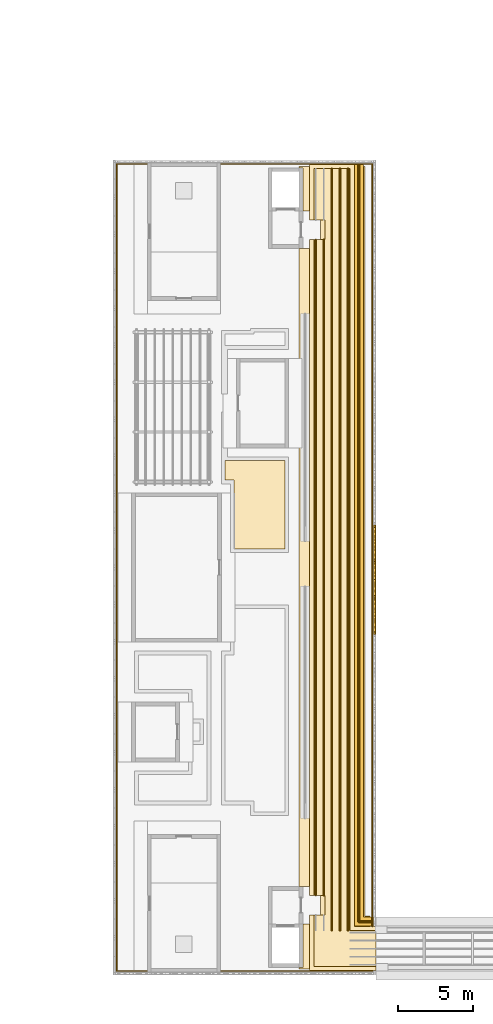
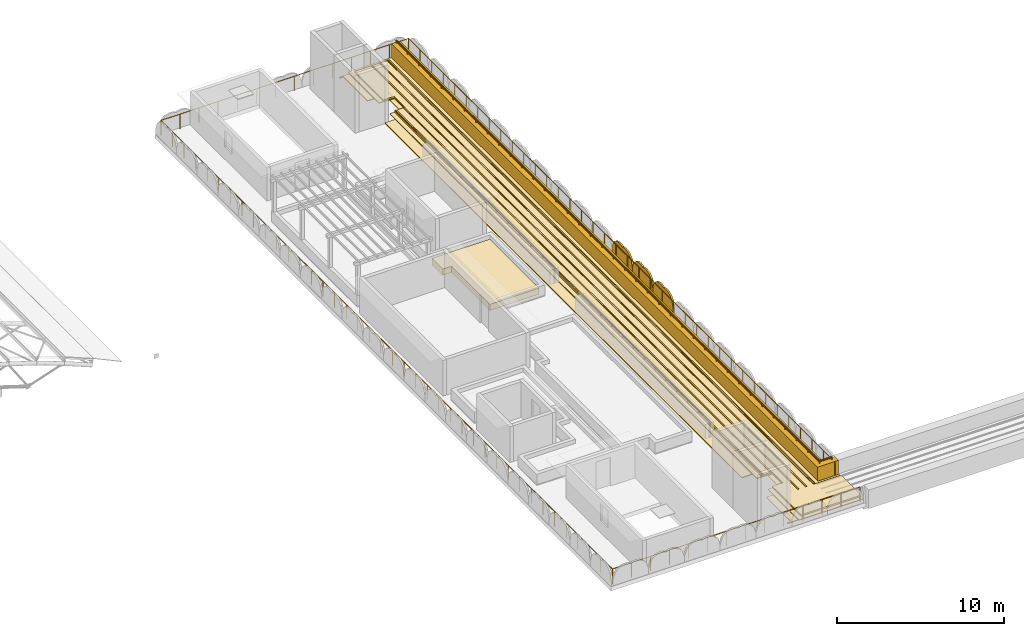
# One storey, part 21 of 22: 10 coverings, 3 shading devices, 2 railings.
"""IFC4 building model written with IfcOpenShell, lengths in metres."""

from ifc_helpers import new_model, si_unit, direction, frame, origin, origin_2d, place, context, subcontext, project, spatial, polyline, circle, outline, extrude, material, layer, layer_set, type_object, element, save


model = new_model("IFC4")

# Units and contexts
model_context = context("Model", 3, precision=1e-05, world=origin(), true_north=direction((0.0, 1.0)))
body_context = subcontext(model_context, "Body", "Model", "MODEL_VIEW")
ifc_project = project(units=[si_unit("LENGTHUNIT", "METRE"), si_unit("AREAUNIT", "SQUARE_METRE"), si_unit("VOLUMEUNIT", "CUBIC_METRE"), si_unit("PLANEANGLEUNIT", "RADIAN"), si_unit("MASSUNIT", "GRAM", prefix="KILO")], contexts=[model_context])

# Site, building, storey
site_placement = place(None, origin())
site = spatial("IfcSite", under=ifc_project, at=site_placement, CompositionType="ELEMENT")
building_placement = place(site_placement, origin())
building = spatial("IfcBuilding", under=site, at=building_placement, Name="Elbe Cascade School", CompositionType="ELEMENT")
storey_placement = place(building_placement, frame((0.0, 0.0, 18.89990234375)))
storey = spatial("IfcBuildingStorey", under=building, at=storey_placement, Name="R05", CompositionType="ELEMENT", Elevation=18.89990234375)

# Shading devices
ifc_material_1 = material(Name="Precast concrete C40/50", Category="concrete")
ifc_layer_1 = layer(ifc_material_1, 0.1201171875)
ifc_layer_set_1 = layer_set([ifc_layer_1], Name="Precast concrete C40/50")
shading_device_type = type_object("IfcShadingDeviceType", Name="Bars envelope Attic jali screen, pointed arch top, pierced precast concrete, 1200 high", PredefinedType="USERDEFINED", material=ifc_layer_set_1)
shading_device_1_placement = place(storey_placement, frame((86.320068359375, 28.523681640625, 0.0), z_axis=(1.0, 0.0, 0.0), x_axis=(0.0, 1.0, 0.0)))
element("IfcShadingDevice", 1, at=shading_device_1_placement, inside=storey, type_object=shading_device_type, Name="Attic jali screen SD1 A.R05.e10", ObjectType="JALI", PredefinedType="USERDEFINED", context=body_context, shape_type="SweptSolid", body=[
    extrude(outline(polyline([(0.0, 0.0), (2.440673828125, 0.0), (2.440673828125, 0.400146484375), (2.2880859375, 0.892822265625), (2.135498046875, 1.062744140625), (1.98291015625, 1.16748046875), (1.83056640625, 1.232177734375), (1.677978515625, 1.265380859375), (1.525390625, 1.271484375), (1.372802734375, 1.250244140625), (1.22021484375, 1.2001953125), (1.06787109375, 1.250244140625), (0.915283203125, 1.271484375), (0.762939453125, 1.265380859375), (0.610107421875, 1.232177734375), (0.457763671875, 1.16748046875), (0.30517578125, 1.062744140625), (0.152587890625, 0.892822265625), (0.0, 0.400146484375), (0.0, 0.0)])), origin(), (0.0, 0.0, -1.0), 0.1201171875),
])
shading_device_2_placement = place(storey_placement, frame((86.320068359375, 30.96435546875, 0.0), z_axis=(1.0, 0.0, 0.0), x_axis=(0.0, 1.0, 0.0)))
element("IfcShadingDevice", 2, at=shading_device_2_placement, inside=storey, type_object=shading_device_type, Name="Attic jali screen SD1 A.R05.e11", ObjectType="JALI", PredefinedType="USERDEFINED", context=body_context, shape_type="SweptSolid", body=[
    extrude(outline(polyline([(0.0, 0.0), (2.4404296875, 0.0), (2.4404296875, 0.400146484375), (2.287841796875, 0.892822265625), (2.13525390625, 1.062744140625), (1.98291015625, 1.16748046875), (1.830322265625, 1.232177734375), (1.677734375, 1.265380859375), (1.525146484375, 1.271484375), (1.372802734375, 1.250244140625), (1.22021484375, 1.2001953125), (1.067626953125, 1.250244140625), (0.9150390625, 1.271484375), (0.762451171875, 1.265380859375), (0.610107421875, 1.232177734375), (0.45751953125, 1.16748046875), (0.304931640625, 1.062744140625), (0.15234375, 0.892822265625), (0.0, 0.400146484375), (0.0, 0.0)])), origin(), (0.0, 0.0, -1.0), 0.1201171875),
])
shading_device_3_placement = place(storey_placement, frame((86.320068359375, 33.40478515625, 0.0), z_axis=(1.0, 0.0, 0.0), x_axis=(0.0, 1.0, 0.0)))
element("IfcShadingDevice", 3, at=shading_device_3_placement, inside=storey, type_object=shading_device_type, Name="Attic jali screen SD1 A.R05.e12", ObjectType="JALI", PredefinedType="USERDEFINED", context=body_context, shape_type="SweptSolid", body=[
    extrude(outline(polyline([(0.0, 0.0), (2.4404296875, 0.0), (2.4404296875, 0.400146484375), (2.287841796875, 0.892822265625), (2.135498046875, 1.062744140625), (1.98291015625, 1.16748046875), (1.830322265625, 1.232177734375), (1.677734375, 1.265380859375), (1.525390625, 1.271484375), (1.372802734375, 1.250244140625), (1.22021484375, 1.2001953125), (1.067626953125, 1.250244140625), (0.9150390625, 1.271484375), (0.7626953125, 1.265380859375), (0.610107421875, 1.232177734375), (0.45751953125, 1.16748046875), (0.304931640625, 1.062744140625), (0.152587890625, 0.892822265625), (0.0, 0.400146484375), (0.0, 0.0)])), origin(), (0.0, 0.0, -1.0), 0.1201171875),
])

# Covering
ifc_material_2 = material(Name="Bituminous waterproofing membrane", Category="membrane")
ifc_layer_2 = layer(ifc_material_2, 0.06005859375)
ifc_layer_set_2 = layer_set([ifc_layer_2], Name="Bituminous waterproofing membrane")
covering_type_1 = type_object("IfcCoveringType", Name="Bars envelope Roof covering, bituminous waterproofing membrane", PredefinedType="ROOFING", material=ifc_layer_set_2)
covering_1_placement = place(storey_placement, origin())
element("IfcCovering", 4, at=covering_1_placement, inside=storey, type_object=covering_type_1, Name="Roof covering CV49 A.R05.6", PredefinedType="ROOFING", context=body_context, shape_type="SweptSolid", body=[
    extrude(outline(polyline([(85.60009765625, 59.85009765625), (85.60009765625, 9.669921875), (85.949951171875, 9.669921875), (85.949951171875, 6.14990234375), (81.199951171875, 6.14990234375), (81.199951171875, 6.25), (81.449951171875, 6.25), (81.449951171875, 9.14990234375), (82.64990234375, 9.14990234375), (82.64990234375, 11.64990234375), (81.199951171875, 11.64990234375), (81.199951171875, 54.35009765625), (82.64990234375, 54.35009765625), (82.64990234375, 56.85009765625), (81.449951171875, 56.85009765625), (81.449951171875, 59.75), (81.199951171875, 59.75), (81.199951171875, 59.85009765625), (85.60009765625, 59.85009765625)])), origin(), (0.0, 0.0, 1.0), 0.06005859375),
])

# Railing
ifc_material_3 = material(Name="Steel S355J2H, hot-dip galvanised", Category="steel")
railing_type_1 = type_object("IfcRailingType", Name="Bars envelope Roof edge guard 1100, galvanised steel", PredefinedType="GUARDRAIL", material=ifc_material_3)
railing_1_placement = place(storey_placement, frame((86.10009765625, 9.0, 0.0)))
element("IfcRailing", 5, at=railing_1_placement, inside=storey, type_object=railing_type_1, Name="Roof edge guard RL10 A.R05.1", PredefinedType="GUARDRAIL", context=body_context, shape_type="SweptSolid", body=[
    extrude(circle(Radius=0.02392578125, at=origin_2d()), frame((0.0, 0.0, 1.076171875), z_axis=(0.0, 1.0, 0.0), x_axis=(-1.0, 0.0, 0.0)), (0.0, 0.0, 1.0), 51.0),
    extrude(circle(Radius=0.02392578125, at=origin_2d()), frame((0.0, 51.0, 1.076171875), z_axis=(-1.0, 0.0, 0.0), x_axis=(0.0, -1.0, 0.0)), (0.0, 0.0, 1.0), 17.10009765625),
    extrude(circle(Radius=0.02392578125, at=origin_2d()), frame((-17.10009765625, 51.0, 1.076171875), z_axis=(0.0, -1.0, 0.0), x_axis=(1.0, 0.0, 0.0)), (0.0, 0.0, 1.0), 54.0),
    extrude(circle(Radius=0.02392578125, at=origin_2d()), frame((-17.10009765625, -3.0, 1.076171875), z_axis=(1.0, 0.0, 0.0), x_axis=(0.0, 1.0, 0.0)), (0.0, 0.0, 1.0), 17.10009765625),
    extrude(circle(Radius=0.02099609375, at=origin_2d()), origin(), (0.0, 0.0, 1.0), 1.052001953125),
    extrude(circle(Radius=0.02099609375, at=origin_2d()), frame((0.0, 1.37841796875, 0.0)), (0.0, 0.0, 1.0), 1.052001953125),
    extrude(circle(Radius=0.02099609375, at=origin_2d()), frame((0.0, 2.7568359375, 0.0)), (0.0, 0.0, 1.0), 1.052001953125),
    extrude(circle(Radius=0.02099609375, at=origin_2d()), frame((0.0, 4.13525390625, 0.0)), (0.0, 0.0, 1.0), 1.052001953125),
    extrude(circle(Radius=0.02099609375, at=origin_2d()), frame((0.0, 5.513427734375, 0.0)), (0.0, 0.0, 1.0), 1.052001953125),
    extrude(circle(Radius=0.02099609375, at=origin_2d()), frame((0.0, 6.891845703125, 0.0)), (0.0, 0.0, 1.0), 1.052001953125),
    extrude(circle(Radius=0.02099609375, at=origin_2d()), frame((0.0, 8.270263671875, 0.0)), (0.0, 0.0, 1.0), 1.052001953125),
    extrude(circle(Radius=0.02099609375, at=origin_2d()), frame((0.0, 9.648681640625, 0.0)), (0.0, 0.0, 1.0), 1.052001953125),
    extrude(circle(Radius=0.02099609375, at=origin_2d()), frame((0.0, 11.027099609375, 0.0)), (0.0, 0.0, 1.0), 1.052001953125),
    extrude(circle(Radius=0.02099609375, at=origin_2d()), frame((0.0, 12.405517578125, 0.0)), (0.0, 0.0, 1.0), 1.052001953125),
    extrude(circle(Radius=0.02099609375, at=origin_2d()), frame((0.0, 13.78369140625, 0.0)), (0.0, 0.0, 1.0), 1.052001953125),
    extrude(circle(Radius=0.02099609375, at=origin_2d()), frame((0.0, 15.162109375, 0.0)), (0.0, 0.0, 1.0), 1.052001953125),
    extrude(circle(Radius=0.02099609375, at=origin_2d()), frame((0.0, 16.54052734375, 0.0)), (0.0, 0.0, 1.0), 1.052001953125),
    extrude(circle(Radius=0.02099609375, at=origin_2d()), frame((0.0, 17.9189453125, 0.0)), (0.0, 0.0, 1.0), 1.052001953125),
    extrude(circle(Radius=0.02099609375, at=origin_2d()), frame((0.0, 19.29736328125, 0.0)), (0.0, 0.0, 1.0), 1.052001953125),
    extrude(circle(Radius=0.02099609375, at=origin_2d()), frame((0.0, 20.67578125, 0.0)), (0.0, 0.0, 1.0), 1.052001953125),
    extrude(circle(Radius=0.02099609375, at=origin_2d()), frame((0.0, 22.053955078125, 0.0)), (0.0, 0.0, 1.0), 1.052001953125),
    extrude(circle(Radius=0.02099609375, at=origin_2d()), frame((0.0, 23.432373046875, 0.0)), (0.0, 0.0, 1.0), 1.052001953125),
    extrude(circle(Radius=0.02099609375, at=origin_2d()), frame((0.0, 24.810791015625, 0.0)), (0.0, 0.0, 1.0), 1.052001953125),
    extrude(circle(Radius=0.02099609375, at=origin_2d()), frame((0.0, 26.189208984375, 0.0)), (0.0, 0.0, 1.0), 1.052001953125),
    extrude(circle(Radius=0.02099609375, at=origin_2d()), frame((0.0, 27.567626953125, 0.0)), (0.0, 0.0, 1.0), 1.052001953125),
    extrude(circle(Radius=0.02099609375, at=origin_2d()), frame((0.0, 28.946044921875, 0.0)), (0.0, 0.0, 1.0), 1.052001953125),
    extrude(circle(Radius=0.02099609375, at=origin_2d()), frame((0.0, 30.32421875, 0.0)), (0.0, 0.0, 1.0), 1.052001953125),
    extrude(circle(Radius=0.02099609375, at=origin_2d()), frame((0.0, 31.70263671875, 0.0)), (0.0, 0.0, 1.0), 1.052001953125),
    extrude(circle(Radius=0.02099609375, at=origin_2d()), frame((0.0, 33.0810546875, 0.0)), (0.0, 0.0, 1.0), 1.052001953125),
    extrude(circle(Radius=0.02099609375, at=origin_2d()), frame((0.0, 34.45947265625, 0.0)), (0.0, 0.0, 1.0), 1.052001953125),
    extrude(circle(Radius=0.02099609375, at=origin_2d()), frame((0.0, 35.837890625, 0.0)), (0.0, 0.0, 1.0), 1.052001953125),
    extrude(circle(Radius=0.02099609375, at=origin_2d()), frame((0.0, 37.21630859375, 0.0)), (0.0, 0.0, 1.0), 1.052001953125),
    extrude(circle(Radius=0.02099609375, at=origin_2d()), frame((0.0, 38.594482421875, 0.0)), (0.0, 0.0, 1.0), 1.052001953125),
    extrude(circle(Radius=0.02099609375, at=origin_2d()), frame((0.0, 39.972900390625, 0.0)), (0.0, 0.0, 1.0), 1.052001953125),
    extrude(circle(Radius=0.02099609375, at=origin_2d()), frame((0.0, 41.351318359375, 0.0)), (0.0, 0.0, 1.0), 1.052001953125),
    extrude(circle(Radius=0.02099609375, at=origin_2d()), frame((0.0, 42.729736328125, 0.0)), (0.0, 0.0, 1.0), 1.052001953125),
    extrude(circle(Radius=0.02099609375, at=origin_2d()), frame((0.0, 44.108154296875, 0.0)), (0.0, 0.0, 1.0), 1.052001953125),
    extrude(circle(Radius=0.02099609375, at=origin_2d()), frame((0.0, 45.486572265625, 0.0)), (0.0, 0.0, 1.0), 1.052001953125),
    extrude(circle(Radius=0.02099609375, at=origin_2d()), frame((0.0, 46.86474609375, 0.0)), (0.0, 0.0, 1.0), 1.052001953125),
    extrude(circle(Radius=0.02099609375, at=origin_2d()), frame((0.0, 48.2431640625, 0.0)), (0.0, 0.0, 1.0), 1.052001953125),
    extrude(circle(Radius=0.02099609375, at=origin_2d()), frame((0.0, 49.62158203125, 0.0)), (0.0, 0.0, 1.0), 1.052001953125),
    extrude(circle(Radius=0.02099609375, at=origin_2d()), frame((0.0, 51.0, 0.0)), (0.0, 0.0, 1.0), 1.052001953125),
    extrude(circle(Radius=0.02099609375, at=origin_2d()), frame((-1.3154296875, 51.0, 0.0)), (0.0, 0.0, 1.0), 1.052001953125),
    extrude(circle(Radius=0.02099609375, at=origin_2d()), frame((-2.630859375, 51.0, 0.0)), (0.0, 0.0, 1.0), 1.052001953125),
    extrude(circle(Radius=0.02099609375, at=origin_2d()), frame((-3.9462890625, 51.0, 0.0)), (0.0, 0.0, 1.0), 1.052001953125),
    extrude(circle(Radius=0.02099609375, at=origin_2d()), frame((-5.261474609375, 51.0, 0.0)), (0.0, 0.0, 1.0), 1.052001953125),
    extrude(circle(Radius=0.02099609375, at=origin_2d()), frame((-6.576904296875, 51.0, 0.0)), (0.0, 0.0, 1.0), 1.052001953125),
    extrude(circle(Radius=0.02099609375, at=origin_2d()), frame((-7.892333984375, 51.0, 0.0)), (0.0, 0.0, 1.0), 1.052001953125),
    extrude(circle(Radius=0.02099609375, at=origin_2d()), frame((-9.207763671875, 51.0, 0.0)), (0.0, 0.0, 1.0), 1.052001953125),
    extrude(circle(Radius=0.02099609375, at=origin_2d()), frame((-10.523193359375, 51.0, 0.0)), (0.0, 0.0, 1.0), 1.052001953125),
    extrude(circle(Radius=0.02099609375, at=origin_2d()), frame((-11.838623046875, 51.0, 0.0)), (0.0, 0.0, 1.0), 1.052001953125),
    extrude(circle(Radius=0.02099609375, at=origin_2d()), frame((-13.15380859375, 51.0, 0.0)), (0.0, 0.0, 1.0), 1.052001953125),
    extrude(circle(Radius=0.02099609375, at=origin_2d()), frame((-14.46923828125, 51.0, 0.0)), (0.0, 0.0, 1.0), 1.052001953125),
    extrude(circle(Radius=0.02099609375, at=origin_2d()), frame((-15.78466796875, 51.0, 0.0)), (0.0, 0.0, 1.0), 1.052001953125),
    extrude(circle(Radius=0.02099609375, at=origin_2d()), frame((-17.10009765625, 51.0, 0.0)), (0.0, 0.0, 1.0), 1.052001953125),
    extrude(circle(Radius=0.02099609375, at=origin_2d()), frame((-17.10009765625, 49.615478515625, 0.0)), (0.0, 0.0, 1.0), 1.052001953125),
    extrude(circle(Radius=0.02099609375, at=origin_2d()), frame((-17.10009765625, 48.230712890625, 0.0)), (0.0, 0.0, 1.0), 1.052001953125),
    extrude(circle(Radius=0.02099609375, at=origin_2d()), frame((-17.10009765625, 46.84619140625, 0.0)), (0.0, 0.0, 1.0), 1.052001953125),
    extrude(circle(Radius=0.02099609375, at=origin_2d()), frame((-17.10009765625, 45.46142578125, 0.0)), (0.0, 0.0, 1.0), 1.052001953125),
    extrude(circle(Radius=0.02099609375, at=origin_2d()), frame((-17.10009765625, 44.076904296875, 0.0)), (0.0, 0.0, 1.0), 1.052001953125),
    extrude(circle(Radius=0.02099609375, at=origin_2d()), frame((-17.10009765625, 42.6923828125, 0.0)), (0.0, 0.0, 1.0), 1.052001953125),
    extrude(circle(Radius=0.02099609375, at=origin_2d()), frame((-17.10009765625, 41.3076171875, 0.0)), (0.0, 0.0, 1.0), 1.052001953125),
    extrude(circle(Radius=0.02099609375, at=origin_2d()), frame((-17.10009765625, 39.923095703125, 0.0)), (0.0, 0.0, 1.0), 1.052001953125),
    extrude(circle(Radius=0.02099609375, at=origin_2d()), frame((-17.10009765625, 38.53857421875, 0.0)), (0.0, 0.0, 1.0), 1.052001953125),
    extrude(circle(Radius=0.02099609375, at=origin_2d()), frame((-17.10009765625, 37.15380859375, 0.0)), (0.0, 0.0, 1.0), 1.052001953125),
    extrude(circle(Radius=0.02099609375, at=origin_2d()), frame((-17.10009765625, 35.769287109375, 0.0)), (0.0, 0.0, 1.0), 1.052001953125),
    extrude(circle(Radius=0.02099609375, at=origin_2d()), frame((-17.10009765625, 34.384521484375, 0.0)), (0.0, 0.0, 1.0), 1.052001953125),
    extrude(circle(Radius=0.02099609375, at=origin_2d()), frame((-17.10009765625, 33.0, 0.0)), (0.0, 0.0, 1.0), 1.052001953125),
    extrude(circle(Radius=0.02099609375, at=origin_2d()), frame((-17.10009765625, 31.615478515625, 0.0)), (0.0, 0.0, 1.0), 1.052001953125),
    extrude(circle(Radius=0.02099609375, at=origin_2d()), frame((-17.10009765625, 30.230712890625, 0.0)), (0.0, 0.0, 1.0), 1.052001953125),
    extrude(circle(Radius=0.02099609375, at=origin_2d()), frame((-17.10009765625, 28.84619140625, 0.0)), (0.0, 0.0, 1.0), 1.052001953125),
    extrude(circle(Radius=0.02099609375, at=origin_2d()), frame((-17.10009765625, 27.46142578125, 0.0)), (0.0, 0.0, 1.0), 1.052001953125),
    extrude(circle(Radius=0.02099609375, at=origin_2d()), frame((-17.10009765625, 26.076904296875, 0.0)), (0.0, 0.0, 1.0), 1.052001953125),
    extrude(circle(Radius=0.02099609375, at=origin_2d()), frame((-17.10009765625, 24.6923828125, 0.0)), (0.0, 0.0, 1.0), 1.052001953125),
    extrude(circle(Radius=0.02099609375, at=origin_2d()), frame((-17.10009765625, 23.3076171875, 0.0)), (0.0, 0.0, 1.0), 1.052001953125),
    extrude(circle(Radius=0.02099609375, at=origin_2d()), frame((-17.10009765625, 21.923095703125, 0.0)), (0.0, 0.0, 1.0), 1.052001953125),
    extrude(circle(Radius=0.02099609375, at=origin_2d()), frame((-17.10009765625, 20.53857421875, 0.0)), (0.0, 0.0, 1.0), 1.052001953125),
    extrude(circle(Radius=0.02099609375, at=origin_2d()), frame((-17.10009765625, 19.15380859375, 0.0)), (0.0, 0.0, 1.0), 1.052001953125),
    extrude(circle(Radius=0.02099609375, at=origin_2d()), frame((-17.10009765625, 17.769287109375, 0.0)), (0.0, 0.0, 1.0), 1.052001953125),
    extrude(circle(Radius=0.02099609375, at=origin_2d()), frame((-17.10009765625, 16.384521484375, 0.0)), (0.0, 0.0, 1.0), 1.052001953125),
    extrude(circle(Radius=0.02099609375, at=origin_2d()), frame((-17.10009765625, 15.0, 0.0)), (0.0, 0.0, 1.0), 1.052001953125),
    extrude(circle(Radius=0.02099609375, at=origin_2d()), frame((-17.10009765625, 13.615478515625, 0.0)), (0.0, 0.0, 1.0), 1.052001953125),
    extrude(circle(Radius=0.02099609375, at=origin_2d()), frame((-17.10009765625, 12.230712890625, 0.0)), (0.0, 0.0, 1.0), 1.052001953125),
    extrude(circle(Radius=0.02099609375, at=origin_2d()), frame((-17.10009765625, 10.84619140625, 0.0)), (0.0, 0.0, 1.0), 1.052001953125),
    extrude(circle(Radius=0.02099609375, at=origin_2d()), frame((-17.10009765625, 9.46142578125, 0.0)), (0.0, 0.0, 1.0), 1.052001953125),
    extrude(circle(Radius=0.02099609375, at=origin_2d()), frame((-17.10009765625, 8.076904296875, 0.0)), (0.0, 0.0, 1.0), 1.052001953125),
    extrude(circle(Radius=0.02099609375, at=origin_2d()), frame((-17.10009765625, 6.6923828125, 0.0)), (0.0, 0.0, 1.0), 1.052001953125),
    extrude(circle(Radius=0.02099609375, at=origin_2d()), frame((-17.10009765625, 5.3076171875, 0.0)), (0.0, 0.0, 1.0), 1.052001953125),
    extrude(circle(Radius=0.02099609375, at=origin_2d()), frame((-17.10009765625, 3.923095703125, 0.0)), (0.0, 0.0, 1.0), 1.052001953125),
    extrude(circle(Radius=0.02099609375, at=origin_2d()), frame((-17.10009765625, 2.53857421875, 0.0)), (0.0, 0.0, 1.0), 1.052001953125),
    extrude(circle(Radius=0.02099609375, at=origin_2d()), frame((-17.10009765625, 1.15380859375, 0.0)), (0.0, 0.0, 1.0), 1.052001953125),
    extrude(circle(Radius=0.02099609375, at=origin_2d()), frame((-17.10009765625, -0.230712890625, 0.0)), (0.0, 0.0, 1.0), 1.052001953125),
    extrude(circle(Radius=0.02099609375, at=origin_2d()), frame((-17.10009765625, -1.615478515625, 0.0)), (0.0, 0.0, 1.0), 1.052001953125),
    extrude(circle(Radius=0.02099609375, at=origin_2d()), frame((-17.10009765625, -3.0, 0.0)), (0.0, 0.0, 1.0), 1.052001953125),
    extrude(circle(Radius=0.02099609375, at=origin_2d()), frame((-15.78466796875, -3.0, 0.0)), (0.0, 0.0, 1.0), 1.052001953125),
    extrude(circle(Radius=0.02099609375, at=origin_2d()), frame((-14.46923828125, -3.0, 0.0)), (0.0, 0.0, 1.0), 1.052001953125),
    extrude(circle(Radius=0.02099609375, at=origin_2d()), frame((-13.15380859375, -3.0, 0.0)), (0.0, 0.0, 1.0), 1.052001953125),
    extrude(circle(Radius=0.02099609375, at=origin_2d()), frame((-11.838623046875, -3.0, 0.0)), (0.0, 0.0, 1.0), 1.052001953125),
    extrude(circle(Radius=0.02099609375, at=origin_2d()), frame((-10.523193359375, -3.0, 0.0)), (0.0, 0.0, 1.0), 1.052001953125),
    extrude(circle(Radius=0.02099609375, at=origin_2d()), frame((-9.207763671875, -3.0, 0.0)), (0.0, 0.0, 1.0), 1.052001953125),
    extrude(circle(Radius=0.02099609375, at=origin_2d()), frame((-7.892333984375, -3.0, 0.0)), (0.0, 0.0, 1.0), 1.052001953125),
    extrude(circle(Radius=0.02099609375, at=origin_2d()), frame((-6.576904296875, -3.0, 0.0)), (0.0, 0.0, 1.0), 1.052001953125),
    extrude(circle(Radius=0.02099609375, at=origin_2d()), frame((-5.261474609375, -3.0, 0.0)), (0.0, 0.0, 1.0), 1.052001953125),
    extrude(circle(Radius=0.02099609375, at=origin_2d()), frame((-3.9462890625, -3.0, 0.0)), (0.0, 0.0, 1.0), 1.052001953125),
    extrude(circle(Radius=0.02099609375, at=origin_2d()), frame((-2.630859375, -3.0, 0.0)), (0.0, 0.0, 1.0), 1.052001953125),
    extrude(circle(Radius=0.02099609375, at=origin_2d()), frame((-1.3154296875, -3.0, 0.0)), (0.0, 0.0, 1.0), 1.052001953125),
    extrude(circle(Radius=0.02099609375, at=origin_2d()), frame((0.0, -3.0, 0.0)), (0.0, 0.0, 1.0), 1.052001953125),
])

# Coverings
ifc_material_4 = material(Name="Running track surfacing - white lines", Category="surfacing")
ifc_layer_3 = layer(ifc_material_4, 0.02001953125)
ifc_layer_set_3 = layer_set([ifc_layer_3], Name="Running track surfacing - white lines")
covering_type_2 = type_object("IfcCoveringType", Name="Lane marking 80", PredefinedType="FLOORING", material=ifc_layer_set_3)
covering_2_placement = place(storey_placement, frame((0.0, 0.0, 0.22021484375)))
element("IfcCovering", 6, at=covering_2_placement, inside=storey, type_object=covering_type_2, Name="Lane marking A roof strip 1", PredefinedType="FLOORING", context=body_context, shape_type="SweptSolid", body=[
    extrude(outline(polyline([(82.360107421875, 11.050048828125), (82.280029296875, 11.050048828125), (82.280029296875, 54.949951171875), (82.360107421875, 54.949951171875), (82.360107421875, 11.050048828125)])), origin(), (0.0, 0.0, 1.0), 0.019775390625),
])
covering_3_placement = place(storey_placement, frame((0.0, 0.0, 0.22021484375)))
element("IfcCovering", 7, at=covering_3_placement, inside=storey, type_object=covering_type_2, Name="Lane marking A roof strip 2", PredefinedType="FLOORING", context=body_context, shape_type="SweptSolid", body=[
    extrude(outline(polyline([(82.89990234375, 11.050048828125), (82.820068359375, 11.050048828125), (82.820068359375, 54.949951171875), (82.89990234375, 54.949951171875), (82.89990234375, 11.050048828125)])), origin(), (0.0, 0.0, 1.0), 0.019775390625),
])
covering_4_placement = place(storey_placement, frame((0.0, 0.0, 0.22021484375)))
element("IfcCovering", 8, at=covering_4_placement, inside=storey, type_object=covering_type_2, Name="Lane marking A roof strip 3", PredefinedType="FLOORING", context=body_context, shape_type="SweptSolid", body=[
    extrude(outline(polyline([(83.43994140625, 59.699951171875), (83.43994140625, 8.699951171875), (83.360107421875, 8.699951171875), (83.360107421875, 59.699951171875), (83.43994140625, 59.699951171875)])), origin(), (0.0, 0.0, 1.0), 0.019775390625),
])
covering_5_placement = place(storey_placement, frame((0.0, 0.0, 0.22021484375)))
element("IfcCovering", 9, at=covering_5_placement, inside=storey, type_object=covering_type_2, Name="Lane marking A roof strip 4", PredefinedType="FLOORING", context=body_context, shape_type="SweptSolid", body=[
    extrude(outline(polyline([(83.97998046875, 59.699951171875), (83.97998046875, 8.699951171875), (83.89990234375, 8.699951171875), (83.89990234375, 59.699951171875), (83.97998046875, 59.699951171875)])), origin(), (0.0, 0.0, 1.0), 0.019775390625),
])
covering_6_placement = place(storey_placement, frame((0.0, 0.0, 0.22021484375)))
element("IfcCovering", 10, at=covering_6_placement, inside=storey, type_object=covering_type_2, Name="Lane marking A roof strip 5", PredefinedType="FLOORING", context=body_context, shape_type="SweptSolid", body=[
    extrude(outline(polyline([(84.52001953125, 59.699951171875), (84.52001953125, 8.699951171875), (84.43994140625, 8.699951171875), (84.43994140625, 59.699951171875), (84.52001953125, 59.699951171875)])), origin(), (0.0, 0.0, 1.0), 0.019775390625),
])
ifc_material_5 = material(Name="Planting - soil and shrubs", Category="soil")
ifc_layer_4 = layer(ifc_material_5, 0.449951171875)
ifc_layer_set_4 = layer_set([ifc_layer_4], Name="Planting - soil and shrubs")
covering_type_3 = type_object("IfcCoveringType", Name="Roof planting bed 450", PredefinedType="USERDEFINED", material=ifc_layer_set_4)
covering_7_placement = place(storey_placement, frame((0.0, 0.0, 0.06005859375)))
element("IfcCovering", 11, at=covering_7_placement, inside=storey, type_object=covering_type_3, Name="Planting bed A M2", ObjectType="PLANTING BED", PredefinedType="USERDEFINED", context=body_context, shape_type="SweptSolid", body=[
    extrude(outline(polyline([(76.25, 40.14990234375), (80.25, 40.14990234375), (80.25, 34.25), (76.85009765625, 34.25), (76.85009765625, 38.85009765625), (76.25, 38.85009765625), (76.25, 40.14990234375)])), origin(), (0.0, 0.0, 1.0), 0.449951171875),
])
ifc_material_6 = material(Name="Running track surfacing - red", Category="surfacing")
ifc_layer_5 = layer(ifc_material_6, 0.10009765625)
ifc_layer_set_5 = layer_set([ifc_layer_5], Name="Running track surfacing - red")
covering_type_4 = type_object("IfcCoveringType", Name="Running track band 100", PredefinedType="USERDEFINED", material=ifc_layer_set_5)
covering_8_placement = place(storey_placement, frame((0.0, 0.0, 0.1201171875)))
element("IfcCovering", 12, at=covering_8_placement, inside=storey, type_object=covering_type_4, Name="Running track band A roof", ObjectType="RUNNING TRACK", PredefinedType="USERDEFINED", context=body_context, shape_type="SweptSolid", body=[
    extrude(outline(polyline([(84.60009765625, 6.300048828125), (82.199951171875, 6.300048828125), (82.199951171875, 8.699951171875), (82.199951171875, 9.75), (82.949951171875, 9.75), (82.949951171875, 11.050048828125), (82.199951171875, 11.050048828125), (82.199951171875, 54.949951171875), (82.949951171875, 54.949951171875), (82.949951171875, 56.25), (82.199951171875, 56.25), (82.199951171875, 59.699951171875), (84.60009765625, 59.699951171875), (84.60009765625, 8.699951171875), (86.35009765625, 8.699951171875), (86.35009765625, 6.300048828125), (84.60009765625, 6.300048828125)])), origin(), (0.0, 0.0, 1.0), 0.10009765625),
])
ifc_material_7 = material(Name="Running track surfacing - red", Category="surfacing")
ifc_layer_6 = layer(ifc_material_7, 0.06005859375)
ifc_layer_set_6 = layer_set([ifc_layer_6], Name="Running track surfacing - red")
covering_type_5 = type_object("IfcCoveringType", Name="Running track surfacing 60", PredefinedType="USERDEFINED", material=ifc_layer_set_6)
covering_9_placement = place(storey_placement, frame((0.0, 0.0, 0.06005859375)))
element("IfcCovering", 13, at=covering_9_placement, inside=storey, type_object=covering_type_5, Name="Running track A roof", ObjectType="RUNNING TRACK", PredefinedType="USERDEFINED", context=body_context, shape_type="SweptSolid", body=[
    extrude(outline(polyline([(84.89990234375, 59.969970703125), (84.89990234375, 8.969970703125), (86.35009765625, 8.969970703125), (86.35009765625, 6.030029296875), (81.89990234375, 6.030029296875), (81.89990234375, 9.75), (82.949951171875, 9.75), (82.949951171875, 11.050048828125), (81.89990234375, 11.050048828125), (81.89990234375, 54.949951171875), (82.949951171875, 54.949951171875), (82.949951171875, 56.25), (81.89990234375, 56.25), (81.89990234375, 59.969970703125), (84.89990234375, 59.969970703125)])), origin(), (0.0, 0.0, 1.0), 0.06005859375),
])

# Railing
ifc_material_8 = material(Name="Steel S355J2H", Category="steel")
railing_type_2 = type_object("IfcRailingType", Name="Track edge rail 1280", PredefinedType="GUARDRAIL", material=ifc_material_8)
railing_2_placement = place(storey_placement, frame((85.199951171875, 59.927978515625, 0.06005859375)))
element("IfcRailing", 14, at=railing_2_placement, inside=storey, type_object=railing_type_2, Name="Track edge rail RL6 A east", PredefinedType="GUARDRAIL", context=body_context, shape_type="SweptSolid", body=[
    extrude(circle(Radius=0.06005859375, at=origin_2d()), frame((0.0, 0.0, 1.219970703125), z_axis=(0.0, -1.0, 0.0), x_axis=(1.0, 0.0, 0.0)), (0.0, 0.0, 1.0), 50.6279296875),
    extrude(circle(Radius=0.06005859375, at=origin_2d()), frame((0.0, -50.6279296875, 1.219970703125), z_axis=(1.0, 0.0, 0.0), x_axis=(0.0, 1.0, 0.0)), (0.0, 0.0, 1.0), 0.858154296875),
    extrude(circle(Radius=0.0400390625, at=origin_2d()), origin(), (0.0, 0.0, 1.0), 1.159912109375),
    extrude(circle(Radius=0.0400390625, at=origin_2d()), frame((0.0, -1.368408203125, 0.0)), (0.0, 0.0, 1.0), 1.159912109375),
    extrude(circle(Radius=0.0400390625, at=origin_2d()), frame((0.0, -2.736572265625, 0.0)), (0.0, 0.0, 1.0), 1.159912109375),
    extrude(circle(Radius=0.0400390625, at=origin_2d()), frame((0.0, -4.10498046875, 0.0)), (0.0, 0.0, 1.0), 1.159912109375),
    extrude(circle(Radius=0.0400390625, at=origin_2d()), frame((0.0, -5.473388671875, 0.0)), (0.0, 0.0, 1.0), 1.159912109375),
    extrude(circle(Radius=0.0400390625, at=origin_2d()), frame((0.0, -6.841552734375, 0.0)), (0.0, 0.0, 1.0), 1.159912109375),
    extrude(circle(Radius=0.0400390625, at=origin_2d()), frame((0.0, -8.2099609375, 0.0)), (0.0, 0.0, 1.0), 1.159912109375),
    extrude(circle(Radius=0.0400390625, at=origin_2d()), frame((0.0, -9.578369140625, 0.0)), (0.0, 0.0, 1.0), 1.159912109375),
    extrude(circle(Radius=0.0400390625, at=origin_2d()), frame((0.0, -10.946533203125, 0.0)), (0.0, 0.0, 1.0), 1.159912109375),
    extrude(circle(Radius=0.0400390625, at=origin_2d()), frame((0.0, -12.31494140625, 0.0)), (0.0, 0.0, 1.0), 1.159912109375),
    extrude(circle(Radius=0.0400390625, at=origin_2d()), frame((0.0, -13.68310546875, 0.0)), (0.0, 0.0, 1.0), 1.159912109375),
    extrude(circle(Radius=0.0400390625, at=origin_2d()), frame((0.0, -15.051513671875, 0.0)), (0.0, 0.0, 1.0), 1.159912109375),
    extrude(circle(Radius=0.0400390625, at=origin_2d()), frame((0.0, -16.419921875, 0.0)), (0.0, 0.0, 1.0), 1.159912109375),
    extrude(circle(Radius=0.0400390625, at=origin_2d()), frame((0.0, -17.7880859375, 0.0)), (0.0, 0.0, 1.0), 1.159912109375),
    extrude(circle(Radius=0.0400390625, at=origin_2d()), frame((0.0, -19.156494140625, 0.0)), (0.0, 0.0, 1.0), 1.159912109375),
    extrude(circle(Radius=0.0400390625, at=origin_2d()), frame((0.0, -20.52490234375, 0.0)), (0.0, 0.0, 1.0), 1.159912109375),
    extrude(circle(Radius=0.0400390625, at=origin_2d()), frame((0.0, -21.89306640625, 0.0)), (0.0, 0.0, 1.0), 1.159912109375),
    extrude(circle(Radius=0.0400390625, at=origin_2d()), frame((0.0, -23.261474609375, 0.0)), (0.0, 0.0, 1.0), 1.159912109375),
    extrude(circle(Radius=0.0400390625, at=origin_2d()), frame((0.0, -24.6298828125, 0.0)), (0.0, 0.0, 1.0), 1.159912109375),
    extrude(circle(Radius=0.0400390625, at=origin_2d()), frame((0.0, -25.998046875, 0.0)), (0.0, 0.0, 1.0), 1.159912109375),
    extrude(circle(Radius=0.0400390625, at=origin_2d()), frame((0.0, -27.366455078125, 0.0)), (0.0, 0.0, 1.0), 1.159912109375),
    extrude(circle(Radius=0.0400390625, at=origin_2d()), frame((0.0, -28.73486328125, 0.0)), (0.0, 0.0, 1.0), 1.159912109375),
    extrude(circle(Radius=0.0400390625, at=origin_2d()), frame((0.0, -30.10302734375, 0.0)), (0.0, 0.0, 1.0), 1.159912109375),
    extrude(circle(Radius=0.0400390625, at=origin_2d()), frame((0.0, -31.471435546875, 0.0)), (0.0, 0.0, 1.0), 1.159912109375),
    extrude(circle(Radius=0.0400390625, at=origin_2d()), frame((0.0, -32.83984375, 0.0)), (0.0, 0.0, 1.0), 1.159912109375),
    extrude(circle(Radius=0.0400390625, at=origin_2d()), frame((0.0, -34.2080078125, 0.0)), (0.0, 0.0, 1.0), 1.159912109375),
    extrude(circle(Radius=0.0400390625, at=origin_2d()), frame((0.0, -35.576416015625, 0.0)), (0.0, 0.0, 1.0), 1.159912109375),
    extrude(circle(Radius=0.0400390625, at=origin_2d()), frame((0.0, -36.94482421875, 0.0)), (0.0, 0.0, 1.0), 1.159912109375),
    extrude(circle(Radius=0.0400390625, at=origin_2d()), frame((0.0, -38.31298828125, 0.0)), (0.0, 0.0, 1.0), 1.159912109375),
    extrude(circle(Radius=0.0400390625, at=origin_2d()), frame((0.0, -39.681396484375, 0.0)), (0.0, 0.0, 1.0), 1.159912109375),
    extrude(circle(Radius=0.0400390625, at=origin_2d()), frame((0.0, -41.049560546875, 0.0)), (0.0, 0.0, 1.0), 1.159912109375),
    extrude(circle(Radius=0.0400390625, at=origin_2d()), frame((0.0, -42.41796875, 0.0)), (0.0, 0.0, 1.0), 1.159912109375),
    extrude(circle(Radius=0.0400390625, at=origin_2d()), frame((0.0, -43.786376953125, 0.0)), (0.0, 0.0, 1.0), 1.159912109375),
    extrude(circle(Radius=0.0400390625, at=origin_2d()), frame((0.0, -45.154541015625, 0.0)), (0.0, 0.0, 1.0), 1.159912109375),
    extrude(circle(Radius=0.0400390625, at=origin_2d()), frame((0.0, -46.52294921875, 0.0)), (0.0, 0.0, 1.0), 1.159912109375),
    extrude(circle(Radius=0.0400390625, at=origin_2d()), frame((0.0, -47.891357421875, 0.0)), (0.0, 0.0, 1.0), 1.159912109375),
    extrude(circle(Radius=0.0400390625, at=origin_2d()), frame((0.0, -49.259521484375, 0.0)), (0.0, 0.0, 1.0), 1.159912109375),
    extrude(circle(Radius=0.0400390625, at=origin_2d()), frame((0.0, -50.6279296875, 0.0)), (0.0, 0.0, 1.0), 1.159912109375),
    extrude(circle(Radius=0.0400390625, at=origin_2d()), frame((0.858154296875, -50.6279296875, 0.0)), (0.0, 0.0, 1.0), 1.159912109375),
])

# Covering
ifc_material_9 = material(Name="Concrete C30/37 precast parapet", Category="concrete")
ifc_layer_7 = layer(ifc_material_9, 0.60009765625)
ifc_layer_set_7 = layer_set([ifc_layer_7], Name="Concrete C30/37 precast parapet")
covering_type_6 = type_object("IfcCoveringType", Name="Track parapet on deck 600x1060", PredefinedType="CLADDING", material=ifc_layer_set_7)
covering_10_placement = place(storey_placement, frame((0.0, 0.0, 0.06005859375)))
element("IfcCovering", 15, at=covering_10_placement, inside=storey, type_object=covering_type_6, Name="Track parapet A east", PredefinedType="CLADDING", context=body_context, shape_type="SweptSolid", body=[
    extrude(outline(polyline([(84.89990234375, 59.969970703125), (85.5, 59.969970703125), (85.5, 9.60009765625), (86.35009765625, 9.60009765625), (86.35009765625, 9.0), (84.89990234375, 9.0), (84.89990234375, 59.969970703125)])), origin(), (0.0, 0.0, 1.0), 1.06005859375),
])

save(model, "model.ifc")
